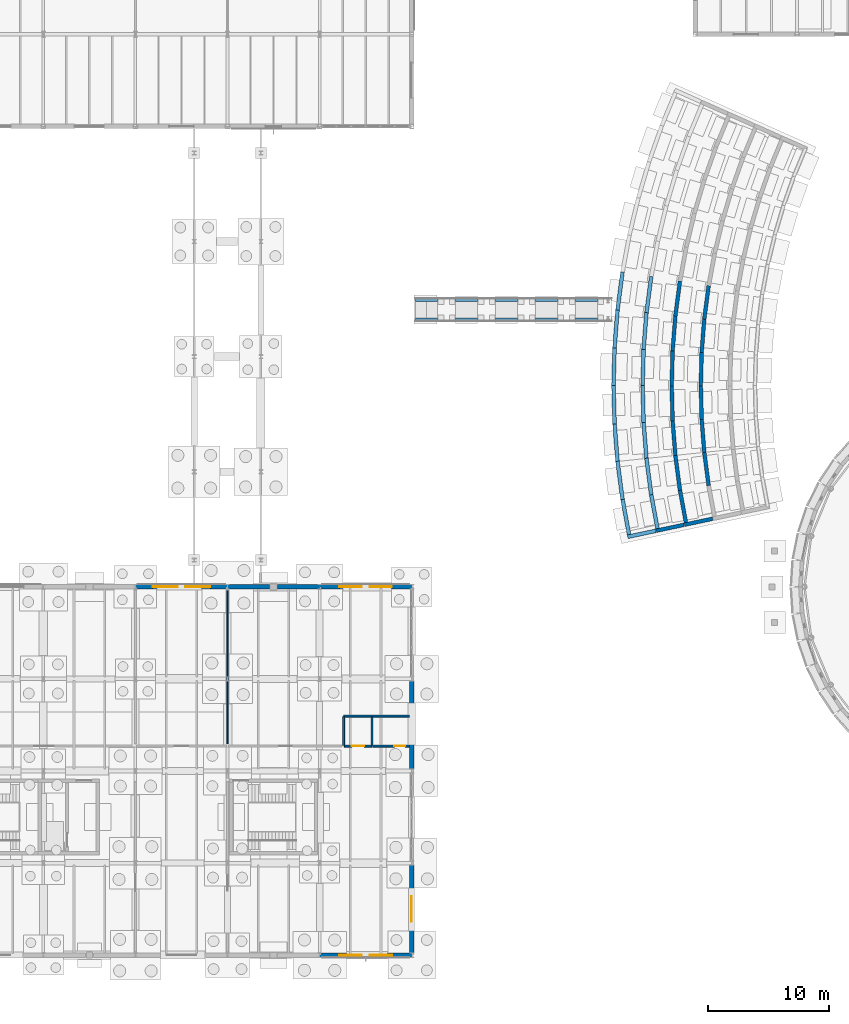
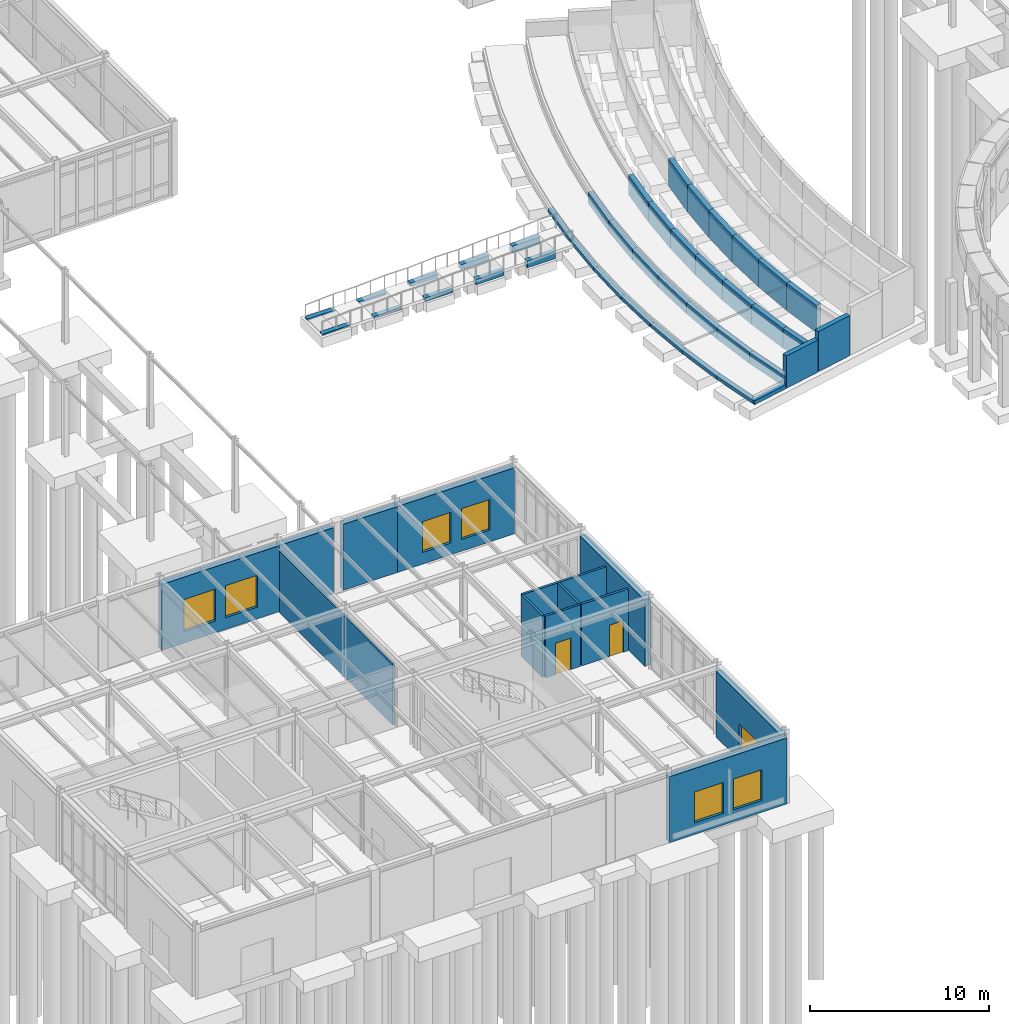
# One storey, part 82 of 109: 53 walls, 6 windows, 3 doors, 9 openings.
"""IFC4 building model written with IfcOpenShell, lengths in metres."""

from ifc_helpers import new_model, si_unit, direction, frame, frame_2d, origin, place, context, subcontext, project, spatial, rectangle, extrude, material, layer, layer_set, type_object, element, fill, save


model = new_model("IFC4")

# Units and contexts
model_context = context("Model", 3, precision=1e-05, world=origin(), true_north=direction((0.0, 1.0)))
body_context = subcontext(model_context, "Body", "Model", "MODEL_VIEW")
ifc_project = project(units=[si_unit("LENGTHUNIT", "METRE"), si_unit("AREAUNIT", "SQUARE_METRE"), si_unit("VOLUMEUNIT", "CUBIC_METRE"), si_unit("PLANEANGLEUNIT", "RADIAN"), si_unit("MASSUNIT", "GRAM", prefix="KILO")], contexts=[model_context])

# Site, building, storey
site_placement = place(None, origin())
site = spatial("IfcSite", under=ifc_project, at=site_placement, CompositionType="ELEMENT")
building_placement = place(site_placement, origin())
building = spatial("IfcBuilding", under=site, at=building_placement, Name="Montecoro Central Library", CompositionType="ELEMENT")
storey_placement = place(building_placement, origin())
storey = spatial("IfcBuildingStorey", under=building, at=storey_placement, Name="L00", CompositionType="ELEMENT", Elevation=0.0)

# Wall, openings, windows
ifc_material_1 = material(Name="Dark piperno stone clad concrete C35/45", Category="masonry")
ifc_layer_1 = layer(ifc_material_1, 0.385009765625)
ifc_layer_set_1 = layer_set([ifc_layer_1], Name="Dark piperno stone clad concrete C35/45")
wall_type_1 = type_object("IfcWallType", Name="EW-PIP-385", PredefinedType="SOLIDWALL", material=ifc_layer_set_1)
wall_1_placement = place(storey_placement, frame((35.405029296875, 5.0, 0.0), z_axis=(0.0, 0.0, 1.0), x_axis=(1.0, 0.0, 0.0)))
wall_1 = element("IfcWall", 1, at=wall_1_placement, inside=storey, type_object=wall_type_1, Name="V3-L00-EW-S4", PredefinedType="SOLIDWALL", context=body_context, shape_type="SweptSolid", body=[
    extrude(rectangle(XDim=7.590087890625, YDim=0.385009765625, at=frame_2d((3.794921875, 0.0))), origin(), (0.0, 0.0, 1.0), 4.5),
])
opening_1_placement = place(wall_1_placement, frame((1.6201171875, 0.0, 0.800048828125)))
opening_1 = element("IfcOpeningElement", 2, at=opening_1_placement, cuts=wall_1, Name="Opening WN-11", PredefinedType="OPENING", context=body_context, shape_type="SweptSolid", body=[
    extrude(rectangle(XDim=1.85009765625, YDim=2.10009765625, at=frame_2d((0.925048828125, 1.050048828125))), frame((0.0, 0.202392578125, 0.0), z_axis=(0.0, -1.0, 0.0), x_axis=(1.0, 0.0, 0.0)), (0.0, 0.0, 1.0), 0.405029296875),
])
opening_2_placement = place(wall_1_placement, frame((4.1201171875, 0.0, 0.800048828125)))
opening_2 = element("IfcOpeningElement", 3, at=opening_2_placement, cuts=wall_1, Name="Opening WN-11", PredefinedType="OPENING", context=body_context, shape_type="SweptSolid", body=[
    extrude(rectangle(XDim=1.85009765625, YDim=2.10009765625, at=frame_2d((0.925048828125, 1.050048828125))), frame((0.0, 0.202392578125, 0.0), z_axis=(0.0, -1.0, 0.0), x_axis=(1.0, 0.0, 0.0)), (0.0, 0.0, 1.0), 0.405029296875),
])
ifc_material_2 = material(Name="Laminated low-E double glazing", Category="glass")
window_type_1 = type_object("IfcWindowType", Name="WN-CHD-185", PartitioningType="SINGLE_PANEL", PredefinedType="WINDOW", material=ifc_material_2)
window_1_placement = place(opening_1_placement, origin())
window_1 = element("IfcWindow", 4, at=window_1_placement, inside=storey, type_object=window_type_1, Name="V3-L00-WN-S4-1", OverallHeight=2.10009765625, OverallWidth=1.85009765625, PartitioningType="SINGLE_PANEL", PredefinedType="WINDOW", context=body_context, shape_type="SweptSolid", body=[
    extrude(rectangle(XDim=1.85009765625, YDim=2.10009765625, at=frame_2d((0.925048828125, 1.050048828125))), frame((0.0, 0.030029296875, 0.0), z_axis=(0.0, -1.0, 0.0), x_axis=(1.0, 0.0, 0.0)), (0.0, 0.0, 1.0), 0.06005859375),
])
fill(opening_1, window_1)
window_2_placement = place(opening_2_placement, origin())
window_2 = element("IfcWindow", 5, at=window_2_placement, inside=storey, type_object=window_type_1, Name="V3-L00-WN-S4-2", OverallHeight=2.10009765625, OverallWidth=1.85009765625, PartitioningType="SINGLE_PANEL", PredefinedType="WINDOW", context=body_context, shape_type="SweptSolid", body=[
    extrude(rectangle(XDim=1.85009765625, YDim=2.10009765625, at=frame_2d((0.925048828125, 1.050048828125))), frame((0.0, 0.030029296875, 0.0), z_axis=(0.0, -1.0, 0.0), x_axis=(1.0, 0.0, 0.0)), (0.0, 0.0, 1.0), 0.06005859375),
])
fill(opening_2, window_2)

# Wall, opening, door
wall_2_placement = place(storey_placement, frame((43.0, 5.177978515625, 0.0), z_axis=(0.0, 0.0, 1.0), x_axis=(0.0, 1.0, 0.0)))
wall_2 = element("IfcWall", 6, at=wall_2_placement, inside=storey, type_object=wall_type_1, Name="V3-L00-EW-E0", PredefinedType="SOLIDWALL", context=body_context, shape_type="SweptSolid", body=[
    extrude(rectangle(XDim=7.244140625, YDim=0.385009765625, at=frame_2d((3.6220703125, 0.0))), origin(), (0.0, 0.0, 1.0), 4.5),
])
opening_3_placement = place(wall_2_placement, frame((2.572021484375, 0.0, 0.0)))
opening_3 = element("IfcOpeningElement", 7, at=opening_3_placement, cuts=wall_2, Name="Opening ED-04", PredefinedType="OPENING", context=body_context, shape_type="SweptSolid", body=[
    extrude(rectangle(XDim=2.10009765625, YDim=2.47998046875, at=frame_2d((1.050048828125, 1.239990234375))), frame((0.0, 0.202392578125, 0.0), z_axis=(0.0, -1.0, 0.0), x_axis=(1.0, 0.0, 0.0)), (0.0, 0.0, 1.0), 0.405029296875),
])
ifc_material_3 = material(Name="Thermally broken architectural bronze and safety glass", Category="glass")
door_type_1 = type_object("IfcDoorType", Name="ED-EXIT-210", OperationType="NOTDEFINED", PredefinedType="DOOR", material=ifc_material_3)
door_1_placement = place(opening_3_placement, origin())
door_1 = element("IfcDoor", 8, at=door_1_placement, inside=storey, type_object=door_type_1, Name="V3-L00-ED-E0", OperationType="SINGLE_SWING_LEFT", OverallHeight=2.47998046875, OverallWidth=2.10009765625, PredefinedType="DOOR", context=body_context, shape_type="SweptSolid", body=[
    extrude(rectangle(XDim=2.10009765625, YDim=2.47998046875, at=frame_2d((1.050048828125, 1.239990234375))), frame((0.0, 0.02490234375, 0.0), z_axis=(0.0, -1.0, 0.0), x_axis=(1.0, 0.0, 0.0)), (0.0, 0.0, 1.0), 0.050048828125),
])
fill(opening_3, door_1)

# Wall
wall_3_placement = place(storey_placement, frame((43.0, 20.3779296875, 0.0), z_axis=(0.0, 0.0, 1.0), x_axis=(0.0, 1.0, 0.0)))
element("IfcWall", 9, at=wall_3_placement, inside=storey, type_object=wall_type_1, Name="V3-L00-EW-E2", PredefinedType="SOLIDWALL", context=body_context, shape_type="SweptSolid", body=[
    extrude(rectangle(XDim=7.244140625, YDim=0.385009765625, at=frame_2d((3.6220703125, 0.0))), origin(), (0.0, 0.0, 1.0), 4.5),
])

# Wall, openings, windows
wall_4_placement = place(storey_placement, frame((42.9951171875, 35.39990234375, 0.0), z_axis=(0.0, 0.0, 1.0), x_axis=(-1.0, 0.0, 0.0)))
wall_4 = element("IfcWall", 10, at=wall_4_placement, inside=storey, type_object=wall_type_1, Name="V3-L00-EW-N4", PredefinedType="SOLIDWALL", context=body_context, shape_type="SweptSolid", body=[
    extrude(rectangle(XDim=7.590087890625, YDim=0.385009765625, at=frame_2d((3.794921875, 0.0))), origin(), (0.0, 0.0, 1.0), 4.5),
])
opening_4_placement = place(wall_4_placement, frame((1.6201171875, 0.0, 0.800048828125)))
opening_4 = element("IfcOpeningElement", 11, at=opening_4_placement, cuts=wall_4, Name="Opening WN-11", PredefinedType="OPENING", context=body_context, shape_type="SweptSolid", body=[
    extrude(rectangle(XDim=1.85009765625, YDim=2.10009765625, at=frame_2d((0.925048828125, 1.050048828125))), frame((0.0, 0.202392578125, 0.0), z_axis=(0.0, -1.0, 0.0), x_axis=(1.0, 0.0, 0.0)), (0.0, 0.0, 1.0), 0.405029296875),
])
opening_5_placement = place(wall_4_placement, frame((4.1201171875, 0.0, 0.800048828125)))
opening_5 = element("IfcOpeningElement", 12, at=opening_5_placement, cuts=wall_4, Name="Opening WN-11", PredefinedType="OPENING", context=body_context, shape_type="SweptSolid", body=[
    extrude(rectangle(XDim=1.85009765625, YDim=2.10009765625, at=frame_2d((0.925048828125, 1.050048828125))), frame((0.0, 0.202392578125, 0.0), z_axis=(0.0, -1.0, 0.0), x_axis=(1.0, 0.0, 0.0)), (0.0, 0.0, 1.0), 0.405029296875),
])
window_3_placement = place(opening_4_placement, origin())
window_3 = element("IfcWindow", 13, at=window_3_placement, inside=storey, type_object=window_type_1, Name="V3-L00-WN-N4-1", OverallHeight=2.10009765625, OverallWidth=1.85009765625, PartitioningType="SINGLE_PANEL", PredefinedType="WINDOW", context=body_context, shape_type="SweptSolid", body=[
    extrude(rectangle(XDim=1.85009765625, YDim=2.10009765625, at=frame_2d((0.925048828125, 1.050048828125))), frame((0.0, 0.030029296875, 0.0), z_axis=(0.0, -1.0, 0.0), x_axis=(1.0, 0.0, 0.0)), (0.0, 0.0, 1.0), 0.06005859375),
])
fill(opening_4, window_3)
window_4_placement = place(opening_5_placement, origin())
window_4 = element("IfcWindow", 14, at=window_4_placement, inside=storey, type_object=window_type_1, Name="V3-L00-WN-N4-2", OverallHeight=2.10009765625, OverallWidth=1.85009765625, PartitioningType="SINGLE_PANEL", PredefinedType="WINDOW", context=body_context, shape_type="SweptSolid", body=[
    extrude(rectangle(XDim=1.85009765625, YDim=2.10009765625, at=frame_2d((0.925048828125, 1.050048828125))), frame((0.0, 0.030029296875, 0.0), z_axis=(0.0, -1.0, 0.0), x_axis=(1.0, 0.0, 0.0)), (0.0, 0.0, 1.0), 0.06005859375),
])
fill(opening_5, window_4)

# Walls
for number, where, z_axis, x_axis, name in (
    (15, (35.39501953125, 35.39990234375, 0.0), (0.0, 0.0, 1.0), (-1.0, 0.0, 0.0), "V3-L00-EW-N3P1"),
    (16, (31.280029296875, 35.39990234375, 0.0), (0.0, 0.0, 1.0), (-1.0, 0.0, 0.0), "V3-L00-EW-N3P2"),
):
    element("IfcWall", number, at=place(storey_placement, frame(where, z_axis=z_axis, x_axis=x_axis)), inside=storey, type_object=wall_type_1, Name=name, PredefinedType="SOLIDWALL", context=body_context, shape_type="SweptSolid", body=[
        extrude(rectangle(XDim=3.47509765625, YDim=0.385009765625, at=frame_2d((1.737548828125, 0.0))), origin(), (0.0, 0.0, 1.0), 4.5),
    ])

# Wall, openings, windows
wall_5_placement = place(storey_placement, frame((27.794921875, 35.39990234375, 0.0), z_axis=(0.0, 0.0, 1.0), x_axis=(-1.0, 0.0, 0.0)))
wall_5 = element("IfcWall", 17, at=wall_5_placement, inside=storey, type_object=wall_type_1, Name="V3-L00-EW-N2", PredefinedType="SOLIDWALL", context=body_context, shape_type="SweptSolid", body=[
    extrude(rectangle(XDim=7.58984375, YDim=0.385009765625, at=frame_2d((3.794921875, 0.0))), origin(), (0.0, 0.0, 1.0), 4.5),
])
opening_6_placement = place(wall_5_placement, frame((1.419921875, 0.0, 0.800048828125)))
opening_6 = element("IfcOpeningElement", 18, at=opening_6_placement, cuts=wall_5, Name="Opening WN-13", PredefinedType="OPENING", context=body_context, shape_type="SweptSolid", body=[
    extrude(rectangle(XDim=2.050048828125, YDim=2.179931640625, at=frame_2d((1.02490234375, 1.08984375))), frame((0.0, 0.202392578125, 0.0), z_axis=(0.0, -1.0, 0.0), x_axis=(1.0, 0.0, 0.0)), (0.0, 0.0, 1.0), 0.405029296875),
])
opening_7_placement = place(wall_5_placement, frame((4.1201171875, 0.0, 0.800048828125)))
opening_7 = element("IfcOpeningElement", 19, at=opening_7_placement, cuts=wall_5, Name="Opening WN-13", PredefinedType="OPENING", context=body_context, shape_type="SweptSolid", body=[
    extrude(rectangle(XDim=2.050048828125, YDim=2.179931640625, at=frame_2d((1.02490234375, 1.08984375))), frame((0.0, 0.202392578125, 0.0), z_axis=(0.0, -1.0, 0.0), x_axis=(1.0, 0.0, 0.0)), (0.0, 0.0, 1.0), 0.405029296875),
])
window_type_2 = type_object("IfcWindowType", Name="WN-CHD-205", PartitioningType="SINGLE_PANEL", PredefinedType="WINDOW", material=ifc_material_2)
window_5_placement = place(opening_6_placement, origin())
window_5 = element("IfcWindow", 20, at=window_5_placement, inside=storey, type_object=window_type_2, Name="V3-L00-WN-N2-1", OverallHeight=2.179931640625, OverallWidth=2.050048828125, PartitioningType="SINGLE_PANEL", PredefinedType="WINDOW", context=body_context, shape_type="SweptSolid", body=[
    extrude(rectangle(XDim=2.050048828125, YDim=2.179931640625, at=frame_2d((1.02490234375, 1.08984375))), frame((0.0, 0.030029296875, 0.0), z_axis=(0.0, -1.0, 0.0), x_axis=(1.0, 0.0, 0.0)), (0.0, 0.0, 1.0), 0.06005859375),
])
fill(opening_6, window_5)
window_6_placement = place(opening_7_placement, origin())
window_6 = element("IfcWindow", 21, at=window_6_placement, inside=storey, type_object=window_type_2, Name="V3-L00-WN-N2-2", OverallHeight=2.179931640625, OverallWidth=2.050048828125, PartitioningType="SINGLE_PANEL", PredefinedType="WINDOW", context=body_context, shape_type="SweptSolid", body=[
    extrude(rectangle(XDim=2.050048828125, YDim=2.179931640625, at=frame_2d((1.02490234375, 1.08984375))), frame((0.0, 0.030029296875, 0.0), z_axis=(0.0, -1.0, 0.0), x_axis=(1.0, 0.0, 0.0)), (0.0, 0.0, 1.0), 0.06005859375),
])
fill(opening_7, window_6)

# Walls
ifc_material_4 = material(Name="Roman travertine stone clad concrete C35/45", Category="masonry")
ifc_layer_2 = layer(ifc_material_4, 0.31005859375)
ifc_layer_set_2 = layer_set([ifc_layer_2], Name="Roman travertine stone clad concrete C35/45")
wall_type_2 = type_object("IfcWallType", Name="EW-TRV-LB-310", PredefinedType="SOLIDWALL", material=ifc_layer_set_2)
wall_6_placement = place(storey_placement, frame((60.39990234375, 61.381103515625, 0.0), z_axis=(0.0, 0.0, 1.0), x_axis=(-0.130414706455, -0.991459532377, 0.0)))
element("IfcWall", 22, at=wall_6_placement, inside=storey, type_object=wall_type_2, Name="Stepped Terrace Retaining Wall 1", PredefinedType="SOLIDWALL", context=body_context, shape_type="SweptSolid", body=[
    extrude(rectangle(XDim=3.173095703125, YDim=0.31005859375, at=frame_2d((1.58642578125, 0.0))), origin(), (0.0, 0.0, 1.0), 0.260009765625),
])
wall_7_placement = place(storey_placement, frame((59.989990234375, 58.27490234375, 0.0), z_axis=(0.0, 0.0, 1.0), x_axis=(-0.078491169827, -0.996914808928, 0.0)))
element("IfcWall", 23, at=wall_7_placement, inside=storey, type_object=wall_type_2, Name="Stepped Terrace Retaining Wall 1", PredefinedType="SOLIDWALL", context=body_context, shape_type="SweptSolid", body=[
    extrude(rectangle(XDim=3.172607421875, YDim=0.31005859375, at=frame_2d((1.58642578125, 0.0))), origin(), (0.0, 0.0, 1.0), 0.260009765625),
])
for number, where, z_axis, x_axis, name in (
    (24, (59.742919921875, 55.152099609375, 0.0), (0.0, 0.0, 1.0), (-0.02615898179, -0.999657795284, 0.0), "Stepped Terrace Retaining Wall 1"),
    (25, (59.659912109375, 52.02001953125, 0.0), (0.0, 0.0, 1.0), (0.02615898179, -0.999657795284, 0.0), "Stepped Terrace Retaining Wall 1"),
):
    element("IfcWall", number, at=place(storey_placement, frame(where, z_axis=z_axis, x_axis=x_axis)), inside=storey, type_object=wall_type_2, Name=name, PredefinedType="SOLIDWALL", context=body_context, shape_type="SweptSolid", body=[
        extrude(rectangle(XDim=3.173095703125, YDim=0.31005859375, at=frame_2d((1.58642578125, 0.0))), origin(), (0.0, 0.0, 1.0), 0.260009765625),
    ])
wall_8_placement = place(storey_placement, frame((59.740966796875, 48.887939453125, 0.0), z_axis=(0.0, 0.0, 1.0), x_axis=(0.078491169827, -0.996914808928, 0.0)))
element("IfcWall", 26, at=wall_8_placement, inside=storey, type_object=wall_type_2, Name="Stepped Terrace Retaining Wall 1", PredefinedType="SOLIDWALL", context=body_context, shape_type="SweptSolid", body=[
    extrude(rectangle(XDim=3.172607421875, YDim=0.31005859375, at=frame_2d((1.58642578125, 0.0))), origin(), (0.0, 0.0, 1.0), 0.260009765625),
])
wall_9_placement = place(storey_placement, frame((59.986083984375, 45.764892578125, 0.0), z_axis=(0.0, 0.0, 1.0), x_axis=(0.130414706455, -0.991459532377, 0.0)))
element("IfcWall", 27, at=wall_9_placement, inside=storey, type_object=wall_type_2, Name="Stepped Terrace Retaining Wall 1", PredefinedType="SOLIDWALL", context=body_context, shape_type="SweptSolid", body=[
    extrude(rectangle(XDim=3.173095703125, YDim=0.31005859375, at=frame_2d((1.58642578125, 0.0))), origin(), (0.0, 0.0, 1.0), 0.260009765625),
])
wall_10_placement = place(storey_placement, frame((60.39404296875, 42.658935546875, 0.0), z_axis=(0.0, 0.0, 1.0), x_axis=(0.182127834384, -0.983274860831, 0.0)))
element("IfcWall", 28, at=wall_10_placement, inside=storey, type_object=wall_type_2, Name="Stepped Terrace Retaining Wall 1", PredefinedType="SOLIDWALL", context=body_context, shape_type="SweptSolid", body=[
    extrude(rectangle(XDim=3.1728515625, YDim=0.31005859375, at=frame_2d((1.58642578125, 0.0))), origin(), (0.0, 0.0, 1.0), 0.260009765625),
])
wall_11_placement = place(storey_placement, frame((63.138916015625, 40.02001953125, 0.0), z_axis=(0.0, 0.0, 1.0), x_axis=(-0.978111754169, -0.208080264216, 0.0)))
element("IfcWall", 29, at=wall_11_placement, inside=storey, type_object=wall_type_2, Name="V1-STEP-CHK-01-S", PredefinedType="SOLIDWALL", context=body_context, shape_type="SweptSolid", body=[
    extrude(rectangle(XDim=2.359619140625, YDim=0.31005859375, at=frame_2d((1.1796875, 0.0))), origin(), (0.0, 0.0, 1.0), 0.260009765625),
])
wall_12_placement = place(storey_placement, frame((62.77001953125, 61.0048828125, 0.0), z_axis=(0.0, 0.0, 1.0), x_axis=(-0.130284550143, -0.9914766442, 0.0)))
element("IfcWall", 30, at=wall_12_placement, inside=storey, type_object=wall_type_2, Name="Stepped Terrace Retaining Wall 2", PredefinedType="SOLIDWALL", context=body_context, shape_type="SweptSolid", body=[
    extrude(rectangle(XDim=3.046875, YDim=0.31005859375, at=frame_2d((1.5234375, 0.0))), origin(), (0.0, 0.0, 1.0), 0.780029296875),
])
wall_13_placement = place(storey_placement, frame((62.376953125, 58.02392578125, 0.0), z_axis=(0.0, 0.0, 1.0), x_axis=(-0.078436375476, -0.996919121595, 0.0)))
element("IfcWall", 31, at=wall_13_placement, inside=storey, type_object=wall_type_2, Name="Stepped Terrace Retaining Wall 2", PredefinedType="SOLIDWALL", context=body_context, shape_type="SweptSolid", body=[
    extrude(rectangle(XDim=3.047119140625, YDim=0.31005859375, at=frame_2d((1.5234375, 0.0))), origin(), (0.0, 0.0, 1.0), 0.780029296875),
])
for number, where, z_axis, x_axis, name in (
    (32, (62.139892578125, 55.02587890625, 0.0), (0.0, 0.0, 1.0), (-0.02620132546, -0.99965668634, 0.0), "Stepped Terrace Retaining Wall 2"),
    (33, (62.06005859375, 52.02001953125, 0.0), (0.0, 0.0, 1.0), (0.02620132546, -0.99965668634, 0.0), "Stepped Terrace Retaining Wall 2"),
):
    element("IfcWall", number, at=place(storey_placement, frame(where, z_axis=z_axis, x_axis=x_axis)), inside=storey, type_object=wall_type_2, Name=name, PredefinedType="SOLIDWALL", context=body_context, shape_type="SweptSolid", body=[
        extrude(rectangle(XDim=3.046875, YDim=0.31005859375, at=frame_2d((1.5234375, 0.0))), origin(), (0.0, 0.0, 1.0), 0.780029296875),
    ])
wall_14_placement = place(storey_placement, frame((62.137939453125, 49.013916015625, 0.0), z_axis=(0.0, 0.0, 1.0), x_axis=(0.078436375476, -0.996919121595, 0.0)))
element("IfcWall", 34, at=wall_14_placement, inside=storey, type_object=wall_type_2, Name="Stepped Terrace Retaining Wall 2", PredefinedType="SOLIDWALL", context=body_context, shape_type="SweptSolid", body=[
    extrude(rectangle(XDim=3.047119140625, YDim=0.31005859375, at=frame_2d((1.5234375, 0.0))), origin(), (0.0, 0.0, 1.0), 0.780029296875),
])
for number, where, z_axis, x_axis, name in (
    (35, (62.373046875, 46.01611328125, 0.0), (0.0, 0.0, 1.0), (0.130284550143, -0.9914766442, 0.0), "Stepped Terrace Retaining Wall 2"),
    (36, (62.763916015625, 43.033935546875, 0.0), (0.0, 0.0, 1.0), (0.182212639927, -0.983259148877, 0.0), "Stepped Terrace Retaining Wall 2"),
):
    element("IfcWall", number, at=place(storey_placement, frame(where, z_axis=z_axis, x_axis=x_axis)), inside=storey, type_object=wall_type_2, Name=name, PredefinedType="SOLIDWALL", context=body_context, shape_type="SweptSolid", body=[
        extrude(rectangle(XDim=3.046875, YDim=0.31005859375, at=frame_2d((1.5234375, 0.0))), origin(), (0.0, 0.0, 1.0), 0.780029296875),
    ])
wall_15_placement = place(storey_placement, frame((65.487060546875, 40.51904296875, 0.0), z_axis=(0.0, 0.0, 1.0), x_axis=(-0.978134137311, -0.20797502116, 0.0)))
element("IfcWall", 37, at=wall_15_placement, inside=storey, type_object=wall_type_2, Name="V1-STEP-CHK-02-S", PredefinedType="SOLIDWALL", context=body_context, shape_type="SweptSolid", body=[
    extrude(rectangle(XDim=2.360595703125, YDim=0.31005859375, at=frame_2d((1.18017578125, 0.0))), origin(), (0.0, 0.0, 1.0), 2.199951171875),
])
wall_16_placement = place(storey_placement, frame((65.14111328125, 60.6298828125, 0.0), z_axis=(0.0, 0.0, 1.0), x_axis=(-0.130757086853, -0.991414436166, 0.0)))
element("IfcWall", 38, at=wall_16_placement, inside=storey, type_object=wall_type_2, Name="Stepped Terrace Retaining Wall 3", PredefinedType="SOLIDWALL", context=body_context, shape_type="SweptSolid", body=[
    extrude(rectangle(XDim=2.922119140625, YDim=0.31005859375, at=frame_2d((1.4609375, 0.0))), origin(), (0.0, 0.0, 1.0), 1.340087890625),
])
wall_17_placement = place(storey_placement, frame((64.763916015625, 57.77294921875, 0.0), z_axis=(0.0, 0.0, 1.0), x_axis=(-0.078735274341, -0.996895559512, 0.0)))
element("IfcWall", 39, at=wall_17_placement, inside=storey, type_object=wall_type_2, Name="Stepped Terrace Retaining Wall 3", PredefinedType="SOLIDWALL", context=body_context, shape_type="SweptSolid", body=[
    extrude(rectangle(XDim=2.9208984375, YDim=0.31005859375, at=frame_2d((1.46044921875, 0.0))), origin(), (0.0, 0.0, 1.0), 1.340087890625),
])
for number, where, z_axis, x_axis, name in (
    (40, (64.535888671875, 54.90087890625, 0.0), (0.0, 0.0, 1.0), (-0.02598587249, -0.999662310198, 0.0), "Stepped Terrace Retaining Wall 3"),
    (41, (64.4599609375, 52.02001953125, 0.0), (0.0, 0.0, 1.0), (0.02598587249, -0.999662310198, 0.0), "Stepped Terrace Retaining Wall 3"),
):
    element("IfcWall", number, at=place(storey_placement, frame(where, z_axis=z_axis, x_axis=x_axis)), inside=storey, type_object=wall_type_2, Name=name, PredefinedType="SOLIDWALL", context=body_context, shape_type="SweptSolid", body=[
        extrude(rectangle(XDim=2.921875, YDim=0.31005859375, at=frame_2d((1.4609375, 0.0))), origin(), (0.0, 0.0, 1.0), 1.340087890625),
    ])
wall_18_placement = place(storey_placement, frame((64.533935546875, 49.138916015625, 0.0), z_axis=(0.0, 0.0, 1.0), x_axis=(0.078735274341, -0.996895559512, 0.0)))
element("IfcWall", 42, at=wall_18_placement, inside=storey, type_object=wall_type_2, Name="Stepped Terrace Retaining Wall 3", PredefinedType="SOLIDWALL", context=body_context, shape_type="SweptSolid", body=[
    extrude(rectangle(XDim=2.9208984375, YDim=0.31005859375, at=frame_2d((1.46044921875, 0.0))), origin(), (0.0, 0.0, 1.0), 1.340087890625),
])
wall_19_placement = place(storey_placement, frame((64.759033203125, 46.26708984375, 0.0), z_axis=(0.0, 0.0, 1.0), x_axis=(0.130757086853, -0.991414436166, 0.0)))
element("IfcWall", 43, at=wall_19_placement, inside=storey, type_object=wall_type_2, Name="Stepped Terrace Retaining Wall 3", PredefinedType="SOLIDWALL", context=body_context, shape_type="SweptSolid", body=[
    extrude(rectangle(XDim=2.922119140625, YDim=0.31005859375, at=frame_2d((1.4609375, 0.0))), origin(), (0.0, 0.0, 1.0), 1.340087890625),
])
wall_20_placement = place(storey_placement, frame((65.135009765625, 43.409912109375, 0.0), z_axis=(0.0, 0.0, 1.0), x_axis=(0.182083275577, -0.983283113226, 0.0)))
element("IfcWall", 44, at=wall_20_placement, inside=storey, type_object=wall_type_2, Name="Stepped Terrace Retaining Wall 3", PredefinedType="SOLIDWALL", context=body_context, shape_type="SweptSolid", body=[
    extrude(rectangle(XDim=2.921630859375, YDim=0.31005859375, at=frame_2d((1.4609375, 0.0))), origin(), (0.0, 0.0, 1.0), 1.340087890625),
])
wall_21_placement = place(storey_placement, frame((67.833984375, 41.01806640625, 0.0), z_axis=(0.0, 0.0, 1.0), x_axis=(-0.978116233516, -0.208059207277, 0.0)))
element("IfcWall", 45, at=wall_21_placement, inside=storey, type_object=wall_type_2, Name="V1-STEP-CHK-03-S", PredefinedType="SOLIDWALL", context=body_context, shape_type="SweptSolid", body=[
    extrude(rectangle(XDim=2.35986328125, YDim=0.31005859375, at=frame_2d((1.179931640625, 0.0))), origin(), (0.0, 0.0, 1.0), 2.739990234375),
])
wall_22_placement = place(storey_placement, frame((67.510986328125, 60.25390625, 0.0), z_axis=(0.0, 0.0, 1.0), x_axis=(-0.130544864575, -0.991442402933, 0.0)))
element("IfcWall", 46, at=wall_22_placement, inside=storey, type_object=wall_type_2, Name="Stepped Terrace Retaining Wall 4", PredefinedType="SOLIDWALL", context=body_context, shape_type="SweptSolid", body=[
    extrude(rectangle(XDim=2.7958984375, YDim=0.31005859375, at=frame_2d((1.39794921875, 0.0))), origin(), (0.0, 0.0, 1.0), 1.860107421875),
])
wall_23_placement = place(storey_placement, frame((67.14990234375, 57.52197265625, 0.0), z_axis=(0.0, 0.0, 1.0), x_axis=(-0.07833931649, -0.996926753323, 0.0)))
element("IfcWall", 47, at=wall_23_placement, inside=storey, type_object=wall_type_2, Name="Stepped Terrace Retaining Wall 4", PredefinedType="SOLIDWALL", context=body_context, shape_type="SweptSolid", body=[
    extrude(rectangle(XDim=2.79541015625, YDim=0.31005859375, at=frame_2d((1.397705078125, 0.0))), origin(), (0.0, 0.0, 1.0), 1.860107421875),
])
for number, where, z_axis, x_axis, name in (
    (48, (66.93310546875, 54.77490234375, 0.0), (0.0, 0.0, 1.0), (-0.026109195489, -0.999659096848, 0.0), "Stepped Terrace Retaining Wall 4"),
    (49, (66.860107421875, 52.02001953125, 0.0), (0.0, 0.0, 1.0), (0.026109195489, -0.999659096848, 0.0), "Stepped Terrace Retaining Wall 4"),
):
    element("IfcWall", number, at=place(storey_placement, frame(where, z_axis=z_axis, x_axis=x_axis)), inside=storey, type_object=wall_type_2, Name=name, PredefinedType="SOLIDWALL", context=body_context, shape_type="SweptSolid", body=[
        extrude(rectangle(XDim=2.7958984375, YDim=0.31005859375, at=frame_2d((1.39794921875, 0.0))), origin(), (0.0, 0.0, 1.0), 1.860107421875),
    ])
wall_24_placement = place(storey_placement, frame((66.930908203125, 49.264892578125, 0.0), z_axis=(0.0, 0.0, 1.0), x_axis=(0.07833931649, -0.996926753323, 0.0)))
element("IfcWall", 50, at=wall_24_placement, inside=storey, type_object=wall_type_2, Name="Stepped Terrace Retaining Wall 4", PredefinedType="SOLIDWALL", context=body_context, shape_type="SweptSolid", body=[
    extrude(rectangle(XDim=2.79541015625, YDim=0.31005859375, at=frame_2d((1.397705078125, 0.0))), origin(), (0.0, 0.0, 1.0), 1.860107421875),
])
wall_25_placement = place(storey_placement, frame((67.14599609375, 46.51806640625, 0.0), z_axis=(0.0, 0.0, 1.0), x_axis=(0.130544864575, -0.991442402933, 0.0)))
element("IfcWall", 51, at=wall_25_placement, inside=storey, type_object=wall_type_2, Name="Stepped Terrace Retaining Wall 4", PredefinedType="SOLIDWALL", context=body_context, shape_type="SweptSolid", body=[
    extrude(rectangle(XDim=2.7958984375, YDim=0.31005859375, at=frame_2d((1.39794921875, 0.0))), origin(), (0.0, 0.0, 1.0), 1.860107421875),
])
for number, where, z_axis, x_axis, name in (
    (52, (43.3291015625, 57.431884765625, 0.0), (0.0, 0.0, 1.0), (1.0, 0.0, 0.0), "V1-RAMP-CW1-S"),
    (53, (43.3291015625, 59.112060546875, 0.0), (0.0, 0.0, 1.0), (1.0, 0.0, 0.0), "V1-RAMP-CW1-N"),
):
    element("IfcWall", number, at=place(storey_placement, frame(where, z_axis=z_axis, x_axis=x_axis)), inside=storey, type_object=wall_type_2, Name=name, PredefinedType="SOLIDWALL", context=body_context, shape_type="SweptSolid", body=[
        extrude(rectangle(XDim=1.7998046875, YDim=0.31005859375, at=frame_2d((0.89990234375, 0.0))), origin(), (0.0, 0.0, 1.0), 0.10009765625),
    ])
for number, where, z_axis, x_axis, name in (
    (54, (46.62890625, 57.431884765625, 0.0), (0.0, 0.0, 1.0), (1.0, 0.0, 0.0), "V1-RAMP-CW2-S"),
    (55, (46.62890625, 59.112060546875, 0.0), (0.0, 0.0, 1.0), (1.0, 0.0, 0.0), "V1-RAMP-CW2-N"),
):
    element("IfcWall", number, at=place(storey_placement, frame(where, z_axis=z_axis, x_axis=x_axis)), inside=storey, type_object=wall_type_2, Name=name, PredefinedType="SOLIDWALL", context=body_context, shape_type="SweptSolid", body=[
        extrude(rectangle(XDim=1.800048828125, YDim=0.31005859375, at=frame_2d((0.89990234375, 0.0))), origin(), (0.0, 0.0, 1.0), 0.1279296875),
    ])
for number, where, z_axis, x_axis, name in (
    (56, (49.928955078125, 57.431884765625, 0.0), (0.0, 0.0, 1.0), (1.0, 0.0, 0.0), "V1-RAMP-CW3-S"),
    (57, (49.928955078125, 59.112060546875, 0.0), (0.0, 0.0, 1.0), (1.0, 0.0, 0.0), "V1-RAMP-CW3-N"),
):
    element("IfcWall", number, at=place(storey_placement, frame(where, z_axis=z_axis, x_axis=x_axis)), inside=storey, type_object=wall_type_2, Name=name, PredefinedType="SOLIDWALL", context=body_context, shape_type="SweptSolid", body=[
        extrude(rectangle(XDim=1.800048828125, YDim=0.31005859375, at=frame_2d((0.89990234375, 0.0))), origin(), (0.0, 0.0, 1.0), 0.236083984375),
    ])
for number, where, z_axis, x_axis, name in (
    (58, (53.22900390625, 57.431884765625, 0.0), (0.0, 0.0, 1.0), (1.0, 0.0, 0.0), "V1-RAMP-CW4-S"),
    (59, (53.22900390625, 59.112060546875, 0.0), (0.0, 0.0, 1.0), (1.0, 0.0, 0.0), "V1-RAMP-CW4-N"),
):
    element("IfcWall", number, at=place(storey_placement, frame(where, z_axis=z_axis, x_axis=x_axis)), inside=storey, type_object=wall_type_2, Name=name, PredefinedType="SOLIDWALL", context=body_context, shape_type="SweptSolid", body=[
        extrude(rectangle(XDim=1.800048828125, YDim=0.31005859375, at=frame_2d((0.89990234375, 0.0))), origin(), (0.0, 0.0, 1.0), 0.343994140625),
    ])
for number, where, z_axis, x_axis, name in (
    (60, (56.529052734375, 57.431884765625, 0.0), (0.0, 0.0, 1.0), (1.0, 0.0, 0.0), "V1-RAMP-CW5-S"),
    (61, (56.529052734375, 59.112060546875, 0.0), (0.0, 0.0, 1.0), (1.0, 0.0, 0.0), "V1-RAMP-CW5-N"),
):
    element("IfcWall", number, at=place(storey_placement, frame(where, z_axis=z_axis, x_axis=x_axis)), inside=storey, type_object=wall_type_2, Name=name, PredefinedType="SOLIDWALL", context=body_context, shape_type="SweptSolid", body=[
        extrude(rectangle(XDim=1.800048828125, YDim=0.31005859375, at=frame_2d((0.89990234375, 0.0))), origin(), (0.0, 0.0, 1.0), 0.451904296875),
    ])
ifc_material_5 = material(Name="Gypsum metal-stud partition")
ifc_layer_3 = layer(ifc_material_5, 0.1201171875)
ifc_layer_set_3 = layer_set([ifc_layer_3], Name="Gypsum metal-stud partition")
wall_type_3 = type_object("IfcWallType", Name="IW-PRT-120", PredefinedType="PARTITIONING", material=ifc_layer_set_3)
wall_26_placement = place(storey_placement, frame((27.800048828125, 22.4599609375, 0.0), z_axis=(0.0, 0.0, 1.0), x_axis=(0.0, 1.0, 0.0)))
element("IfcWall", 62, at=wall_26_placement, inside=storey, type_object=wall_type_3, Name="DIVW-V3-L00-02-1", PredefinedType="PARTITIONING", context=body_context, shape_type="SweptSolid", body=[
    extrude(rectangle(XDim=12.6201171875, YDim=0.1201171875, at=frame_2d((6.31005859375, 0.0))), origin(), (0.0, 0.0, 1.0), 4.199951171875),
])
ifc_material_6 = material(Name="Moisture-resistant ceramic-tiled partition")
ifc_layer_4 = layer(ifc_material_6, 0.14990234375)
ifc_layer_set_4 = layer_set([ifc_layer_4], Name="Moisture-resistant ceramic-tiled partition")
wall_type_4 = type_object("IfcWallType", Name="IW-WET-150", PredefinedType="PARTITIONING", material=ifc_layer_set_4)
wall_27_placement = place(storey_placement, frame((37.3798828125, 24.72998046875, 0.0), z_axis=(0.0, 0.0, 1.0), x_axis=(1.0, 0.0, 0.0)))
element("IfcWall", 63, at=wall_27_placement, inside=storey, type_object=wall_type_4, Name="WC-V3-L00-WBK", PredefinedType="PARTITIONING", context=body_context, shape_type="SweptSolid", body=[
    extrude(rectangle(XDim=5.420166015625, YDim=0.14990234375, at=frame_2d((2.7099609375, 0.0))), origin(), (0.0, 0.0, 1.0), 4.199951171875),
])
for number, where, z_axis, x_axis, name in (
    (64, (37.3798828125, 22.31005859375, 0.0), (0.0, 0.0, 1.0), (0.0, 1.0, 0.0), "WC-V3-L00-WW"),
    (65, (39.72998046875, 22.31005859375, 0.0), (0.0, 0.0, 1.0), (0.0, 1.0, 0.0), "WC-V3-L00-WM"),
):
    element("IfcWall", number, at=place(storey_placement, frame(where, z_axis=z_axis, x_axis=x_axis)), inside=storey, type_object=wall_type_4, Name=name, PredefinedType="PARTITIONING", context=body_context, shape_type="SweptSolid", body=[
        extrude(rectangle(XDim=2.35986328125, YDim=0.14990234375, at=frame_2d((1.179931640625, 0.0))), origin(), (0.0, 0.0, 1.0), 4.199951171875),
    ])

# Wall, opening, door
wall_28_placement = place(storey_placement, frame((37.43994140625, 22.25, 0.0), z_axis=(0.0, 0.0, 1.0), x_axis=(1.0, 0.0, 0.0)))
wall_28 = element("IfcWall", 66, at=wall_28_placement, inside=storey, type_object=wall_type_4, Name="WC-V3-L00-WFA", PredefinedType="PARTITIONING", context=body_context, shape_type="SweptSolid", body=[
    extrude(rectangle(XDim=2.25, YDim=0.14990234375, at=frame_2d((1.125, 0.0))), origin(), (0.0, 0.0, 1.0), 4.199951171875),
])
opening_8_placement = place(wall_28_placement, frame((0.625, 0.0, 0.0)))
opening_8 = element("IfcOpeningElement", 67, at=opening_8_placement, cuts=wall_28, Name="Opening ID-15", PredefinedType="OPENING", context=body_context, shape_type="SweptSolid", body=[
    extrude(rectangle(XDim=1.0, YDim=2.14990234375, at=frame_2d((0.5, 1.074951171875))), frame((0.0, 0.0849609375, 0.0), z_axis=(0.0, -1.0, 0.0), x_axis=(1.0, 0.0, 0.0)), (0.0, 0.0, 1.0), 0.169921875),
])
ifc_material_7 = material(Name="Solid oak and fire-rated steel door", Category="steel")
door_type_2 = type_object("IfcDoorType", Name="ID-AWC-100", OperationType="NOTDEFINED", PredefinedType="DOOR", material=ifc_material_7)
door_2_placement = place(opening_8_placement, origin())
door_2 = element("IfcDoor", 68, at=door_2_placement, inside=storey, type_object=door_type_2, Name="DR-SP-V3-L00-AWC", OperationType="SINGLE_SWING_RIGHT", OverallHeight=2.14990234375, OverallWidth=1.0, PredefinedType="DOOR", context=body_context, shape_type="SweptSolid", body=[
    extrude(rectangle(XDim=1.0, YDim=2.14990234375, at=frame_2d((0.5, 1.074951171875))), frame((0.0, 0.02490234375, 0.0), z_axis=(0.0, -1.0, 0.0), x_axis=(1.0, 0.0, 0.0)), (0.0, 0.0, 1.0), 0.050048828125),
])
fill(opening_8, door_2)

wall_29_placement = place(storey_placement, frame((39.77001953125, 22.25, 0.0), z_axis=(0.0, 0.0, 1.0), x_axis=(1.0, 0.0, 0.0)))
wall_29 = element("IfcWall", 69, at=wall_29_placement, inside=storey, type_object=wall_type_4, Name="WC-V3-L00-WFP", PredefinedType="PARTITIONING", context=body_context, shape_type="SweptSolid", body=[
    extrude(rectangle(XDim=3.030029296875, YDim=0.14990234375, at=frame_2d((1.51513671875, 0.0))), origin(), (0.0, 0.0, 1.0), 4.199951171875),
])
opening_9_placement = place(wall_29_placement, frame((1.780029296875, 0.0, 0.0)))
opening_9 = element("IfcOpeningElement", 70, at=opening_9_placement, cuts=wall_29, Name="Opening ID-16", PredefinedType="OPENING", context=body_context, shape_type="SweptSolid", body=[
    extrude(rectangle(XDim=0.89990234375, YDim=2.14990234375, at=frame_2d((0.449951171875, 1.074951171875))), frame((0.0, 0.0849609375, 0.0), z_axis=(0.0, -1.0, 0.0), x_axis=(1.0, 0.0, 0.0)), (0.0, 0.0, 1.0), 0.169921875),
])
door_type_3 = type_object("IfcDoorType", Name="ID-WC-090", OperationType="NOTDEFINED", PredefinedType="DOOR", material=ifc_material_7)
door_3_placement = place(opening_9_placement, origin())
door_3 = element("IfcDoor", 71, at=door_3_placement, inside=storey, type_object=door_type_3, Name="DR-SP-V3-L00-PWC", OperationType="SINGLE_SWING_LEFT", OverallHeight=2.14990234375, OverallWidth=0.89990234375, PredefinedType="DOOR", context=body_context, shape_type="SweptSolid", body=[
    extrude(rectangle(XDim=0.89990234375, YDim=2.14990234375, at=frame_2d((0.449951171875, 1.074951171875))), frame((0.0, 0.02490234375, 0.0), z_axis=(0.0, -1.0, 0.0), x_axis=(1.0, 0.0, 0.0)), (0.0, 0.0, 1.0), 0.050048828125),
])
fill(opening_9, door_3)

save(model, "model.ifc")
